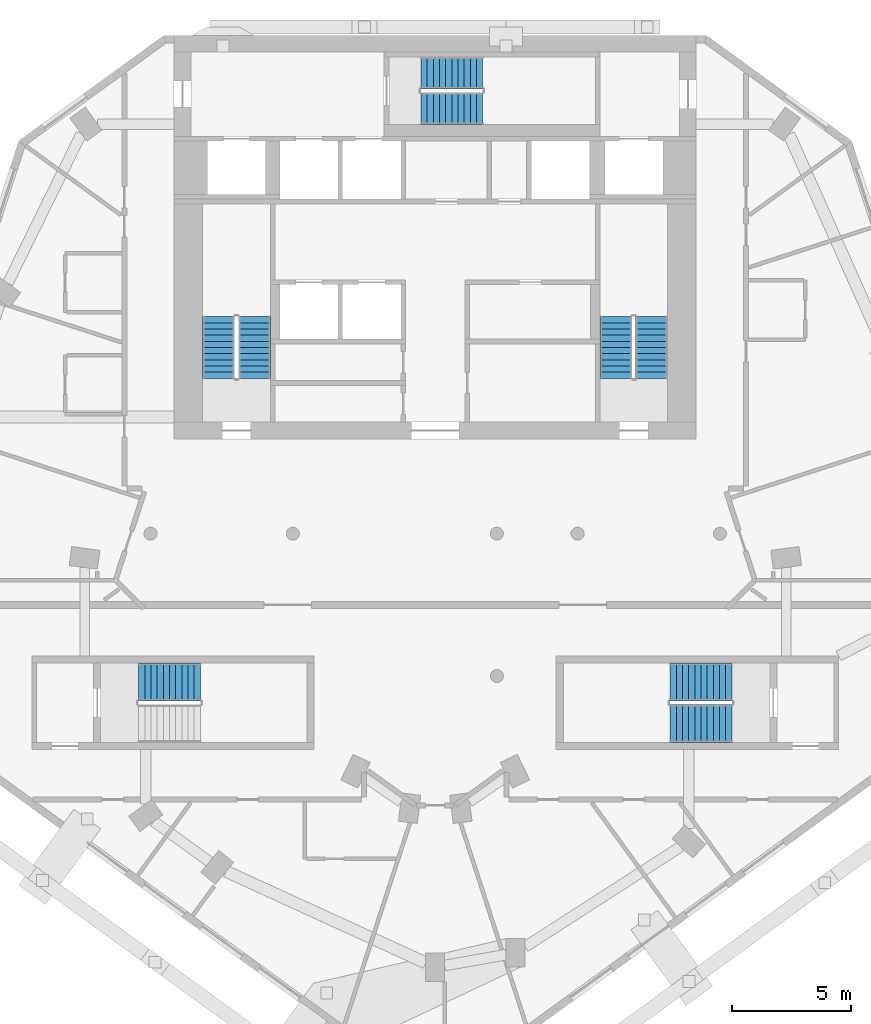
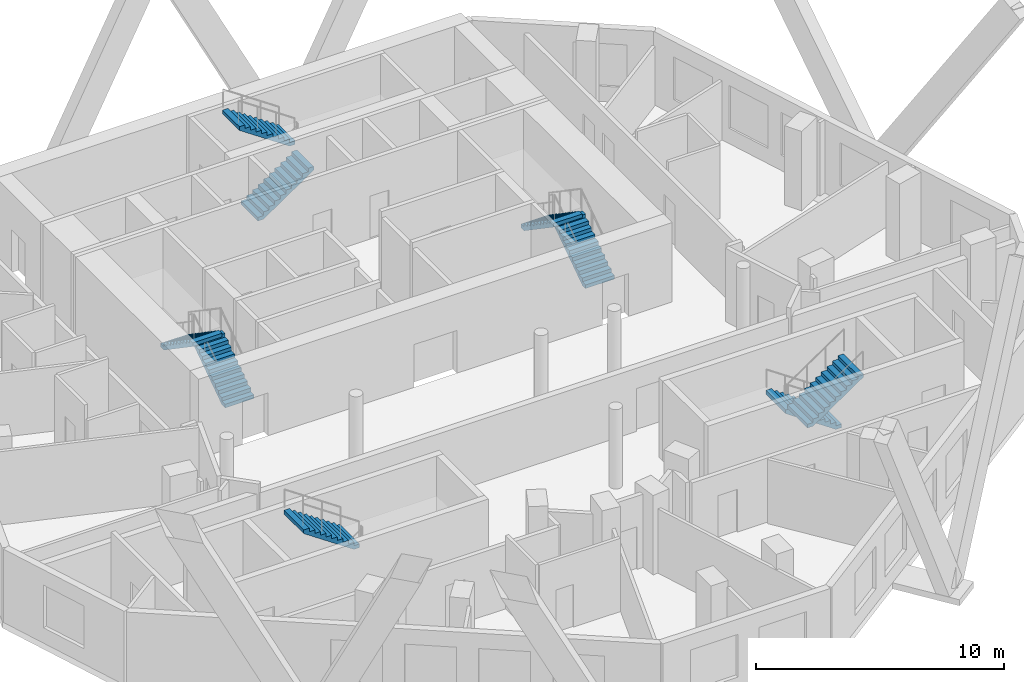
# One storey, part 7 of 9: 9 stair flights, 5 elements without a shape of their own.
"""IFC4 building model written with IfcOpenShell, lengths in metres."""

from ifc_helpers import new_model, si_unit, direction, frame, origin, place, context, subcontext, project, spatial, polyline, outline, extrude, material, layer, layer_set, type_object, element, aggregate, save


model = new_model("IFC4")

# Units and contexts
model_context = context("Model", 3, precision=1e-05, world=origin(), true_north=direction((0.0, 1.0)))
body_context = subcontext(model_context, "Body", "Model", "MODEL_VIEW")
ifc_project = project(units=[si_unit("LENGTHUNIT", "METRE"), si_unit("AREAUNIT", "SQUARE_METRE"), si_unit("VOLUMEUNIT", "CUBIC_METRE"), si_unit("PLANEANGLEUNIT", "RADIAN"), si_unit("MASSUNIT", "GRAM", prefix="KILO")], contexts=[model_context])

# Site, building, storey
site_placement = place(None, origin())
site = spatial("IfcSite", under=ifc_project, at=site_placement, CompositionType="ELEMENT")
building_placement = place(site_placement, origin())
building = spatial("IfcBuilding", under=site, at=building_placement, Name="White Candle Pilgrim Tower", CompositionType="ELEMENT")
storey_placement = place(building_placement, frame((0.0, 0.0, 260.0)))
storey = spatial("IfcBuildingStorey", under=building, at=storey_placement, Name="L61", CompositionType="ELEMENT", Elevation=260.0)

# Stair, stair flights
ifc_material = material(Name="Concrete C40/50", Category="concrete")
stair_type_1 = type_object("IfcStairType", Name="Exit stair 1 flight width 1350 mm", PredefinedType="HALF_TURN_STAIR", material=ifc_material)
stair_1_placement = place(storey_placement, origin())
stair_1 = element("IfcStair", 1, at=stair_1_placement, inside=storey, type_object=stair_type_1, Name="L61 stair 1", PredefinedType="NOTDEFINED")
ifc_layer = layer(ifc_material, 0.14990234375)
ifc_layer_set = layer_set([ifc_layer], Name="Stair flight Concrete C40/50")
stair_flight_type = type_object("IfcStairFlightType", Name="Stair flight Concrete C40/50", PredefinedType="STRAIGHT", material=ifc_layer_set)
stair_flight_1_placement = place(storey_placement, frame((62.375, 73.550048828125, 0.0), z_axis=(0.0, 0.0, 1.0), x_axis=(0.0, 1.0, 0.0)))
stair_flight_1 = element("IfcStairFlight", 2, at=stair_flight_1_placement, type_object=stair_flight_type, Name="ST1 flight 1", NumberOfRisers=11, NumberOfTreads=10, PredefinedType="NOTDEFINED", RiserHeight=0.177272727, TreadLength=0.26, context=body_context, shape_type="SweptSolid", body=[
    extrude(outline(polyline([(0.0, 0.0), (0.0, 0.17724609375), (0.260009765625, 0.17724609375), (0.260009765625, 0.3544921875), (0.52001953125, 0.3544921875), (0.52001953125, 0.53173828125), (0.780029296875, 0.53173828125), (0.780029296875, 0.708984375), (1.0400390625, 0.708984375), (1.0400390625, 0.886474609375), (1.300048828125, 0.886474609375), (1.300048828125, 1.063720703125), (1.56005859375, 1.063720703125), (1.56005859375, 1.240966796875), (1.820068359375, 1.240966796875), (1.820068359375, 1.418212890625), (2.080078125, 1.418212890625), (2.080078125, 1.595458984375), (2.340087890625, 1.595458984375), (2.340087890625, 1.772705078125), (2.60009765625, 1.772705078125), (2.60009765625, 1.949951171875), (2.60009765625, 1.59130859375), (0.26611328125, 0.0), (0.0, 0.0)])), frame((0.0, 0.675048828125, 0.0), z_axis=(0.0, -1.0, 0.0), x_axis=(1.0, 0.0, 0.0)), (0.0, 0.0, 1.0), 1.35009765625),
])
stair_flight_2_placement = place(storey_placement, frame((60.875, 76.14990234375, 1.949951171875), z_axis=(0.0, 0.0, 1.0), x_axis=(0.0, -1.0, 0.0)))
stair_flight_2 = element("IfcStairFlight", 3, at=stair_flight_2_placement, type_object=stair_flight_type, Name="ST1 flight 2", NumberOfRisers=11, NumberOfTreads=10, PredefinedType="NOTDEFINED", RiserHeight=0.177272727, TreadLength=0.26, context=body_context, shape_type="SweptSolid", body=[
    extrude(outline(polyline([(0.0, 0.0), (0.0, 0.17724609375), (0.260009765625, 0.17724609375), (0.260009765625, 0.3544921875), (0.52001953125, 0.3544921875), (0.52001953125, 0.53173828125), (0.780029296875, 0.53173828125), (0.780029296875, 0.708984375), (1.0400390625, 0.708984375), (1.0400390625, 0.886474609375), (1.300048828125, 0.886474609375), (1.300048828125, 1.063720703125), (1.56005859375, 1.063720703125), (1.56005859375, 1.240966796875), (1.820068359375, 1.240966796875), (1.820068359375, 1.418212890625), (2.080078125, 1.418212890625), (2.080078125, 1.595458984375), (2.340087890625, 1.595458984375), (2.340087890625, 1.772705078125), (2.60009765625, 1.772705078125), (2.60009765625, 1.949951171875), (2.60009765625, 1.59130859375), (0.26611328125, 0.0), (0.0, 0.0)])), frame((0.0, 0.675048828125, 0.0), z_axis=(0.0, -1.0, 0.0), x_axis=(1.0, 0.0, 0.0)), (0.0, 0.0, 1.0), 1.35009765625),
])
aggregate(stair_1, [stair_flight_1, stair_flight_2])

stair_type_2 = type_object("IfcStairType", Name="Exit stair 2 flight width 1350 mm", PredefinedType="HALF_TURN_STAIR", material=ifc_material)
stair_2_placement = place(storey_placement, origin())
stair_2 = element("IfcStair", 4, at=stair_2_placement, inside=storey, type_object=stair_type_2, Name="L61 stair 2", PredefinedType="NOTDEFINED")
stair_flight_3_placement = place(storey_placement, frame((79.125, 73.550048828125, 0.0), z_axis=(0.0, 0.0, 1.0), x_axis=(0.0, 1.0, 0.0)))
stair_flight_3 = element("IfcStairFlight", 5, at=stair_flight_3_placement, type_object=stair_flight_type, Name="ST2 flight 1", NumberOfRisers=11, NumberOfTreads=10, PredefinedType="NOTDEFINED", RiserHeight=0.177272727, TreadLength=0.26, context=body_context, shape_type="SweptSolid", body=[
    extrude(outline(polyline([(0.0, 0.0), (0.0, 0.17724609375), (0.260009765625, 0.17724609375), (0.260009765625, 0.3544921875), (0.52001953125, 0.3544921875), (0.52001953125, 0.53173828125), (0.780029296875, 0.53173828125), (0.780029296875, 0.708984375), (1.0400390625, 0.708984375), (1.0400390625, 0.886474609375), (1.300048828125, 0.886474609375), (1.300048828125, 1.063720703125), (1.56005859375, 1.063720703125), (1.56005859375, 1.240966796875), (1.820068359375, 1.240966796875), (1.820068359375, 1.418212890625), (2.080078125, 1.418212890625), (2.080078125, 1.595458984375), (2.340087890625, 1.595458984375), (2.340087890625, 1.772705078125), (2.60009765625, 1.772705078125), (2.60009765625, 1.949951171875), (2.60009765625, 1.59130859375), (0.26611328125, 0.0), (0.0, 0.0)])), frame((0.0, 0.675048828125, 0.0), z_axis=(0.0, -1.0, 0.0), x_axis=(1.0, 0.0, 0.0)), (0.0, 0.0, 1.0), 1.35009765625),
])
stair_flight_4_placement = place(storey_placement, frame((77.625, 76.14990234375, 1.949951171875), z_axis=(0.0, 0.0, 1.0), x_axis=(0.0, -1.0, 0.0)))
stair_flight_4 = element("IfcStairFlight", 6, at=stair_flight_4_placement, type_object=stair_flight_type, Name="ST2 flight 2", NumberOfRisers=11, NumberOfTreads=10, PredefinedType="NOTDEFINED", RiserHeight=0.177272727, TreadLength=0.26, context=body_context, shape_type="SweptSolid", body=[
    extrude(outline(polyline([(0.0, 0.0), (0.0, 0.17724609375), (0.260009765625, 0.17724609375), (0.260009765625, 0.3544921875), (0.52001953125, 0.3544921875), (0.52001953125, 0.53173828125), (0.780029296875, 0.53173828125), (0.780029296875, 0.708984375), (1.0400390625, 0.708984375), (1.0400390625, 0.886474609375), (1.300048828125, 0.886474609375), (1.300048828125, 1.063720703125), (1.56005859375, 1.063720703125), (1.56005859375, 1.240966796875), (1.820068359375, 1.240966796875), (1.820068359375, 1.418212890625), (2.080078125, 1.418212890625), (2.080078125, 1.595458984375), (2.340087890625, 1.595458984375), (2.340087890625, 1.772705078125), (2.60009765625, 1.772705078125), (2.60009765625, 1.949951171875), (2.60009765625, 1.59130859375), (0.26611328125, 0.0), (0.0, 0.0)])), frame((0.0, 0.675048828125, 0.0), z_axis=(0.0, -1.0, 0.0), x_axis=(1.0, 0.0, 0.0)), (0.0, 0.0, 1.0), 1.35009765625),
])
aggregate(stair_2, [stair_flight_3, stair_flight_4])

stair_type_3 = type_object("IfcStairType", Name="Exit stair 3 flight width 1350 mm", PredefinedType="HALF_TURN_STAIR", material=ifc_material)
stair_3_placement = place(storey_placement, origin())
stair_3 = element("IfcStair", 7, at=stair_3_placement, inside=storey, type_object=stair_type_3, Name="L61 stair 3", PredefinedType="NOTDEFINED")
stair_flight_5_placement = place(storey_placement, frame((69.39990234375, 84.925048828125, 0.0), z_axis=(0.0, 0.0, 1.0), x_axis=(1.0, 0.0, 0.0)))
stair_flight_5 = element("IfcStairFlight", 8, at=stair_flight_5_placement, type_object=stair_flight_type, Name="ST3 flight 1", NumberOfRisers=11, NumberOfTreads=10, PredefinedType="NOTDEFINED", RiserHeight=0.177272727, TreadLength=0.26, context=body_context, shape_type="SweptSolid", body=[
    extrude(outline(polyline([(0.0, 0.0), (0.0, 0.17724609375), (0.260009765625, 0.17724609375), (0.260009765625, 0.3544921875), (0.52001953125, 0.3544921875), (0.52001953125, 0.53173828125), (0.780029296875, 0.53173828125), (0.780029296875, 0.708984375), (1.0400390625, 0.708984375), (1.0400390625, 0.886474609375), (1.300048828125, 0.886474609375), (1.300048828125, 1.063720703125), (1.56005859375, 1.063720703125), (1.56005859375, 1.240966796875), (1.820068359375, 1.240966796875), (1.820068359375, 1.418212890625), (2.080078125, 1.418212890625), (2.080078125, 1.595458984375), (2.340087890625, 1.595458984375), (2.340087890625, 1.772705078125), (2.60009765625, 1.772705078125), (2.60009765625, 1.949951171875), (2.60009765625, 1.59130859375), (0.26611328125, 0.0), (0.0, 0.0)])), frame((0.0, 0.675048828125, 0.0), z_axis=(0.0, -1.0, 0.0), x_axis=(1.0, 0.0, 0.0)), (0.0, 0.0, 1.0), 1.35009765625),
])
stair_flight_6_placement = place(storey_placement, frame((72.0, 86.425048828125, 1.949951171875), z_axis=(0.0, 0.0, 1.0), x_axis=(-1.0, 0.0, 0.0)))
stair_flight_6 = element("IfcStairFlight", 9, at=stair_flight_6_placement, type_object=stair_flight_type, Name="ST3 flight 2", NumberOfRisers=11, NumberOfTreads=10, PredefinedType="NOTDEFINED", RiserHeight=0.177272727, TreadLength=0.26, context=body_context, shape_type="SweptSolid", body=[
    extrude(outline(polyline([(0.0, 0.0), (0.0, 0.17724609375), (0.260009765625, 0.17724609375), (0.260009765625, 0.3544921875), (0.52001953125, 0.3544921875), (0.52001953125, 0.53173828125), (0.780029296875, 0.53173828125), (0.780029296875, 0.708984375), (1.0400390625, 0.708984375), (1.0400390625, 0.886474609375), (1.300048828125, 0.886474609375), (1.300048828125, 1.063720703125), (1.56005859375, 1.063720703125), (1.56005859375, 1.240966796875), (1.820068359375, 1.240966796875), (1.820068359375, 1.418212890625), (2.080078125, 1.418212890625), (2.080078125, 1.595458984375), (2.340087890625, 1.595458984375), (2.340087890625, 1.772705078125), (2.60009765625, 1.772705078125), (2.60009765625, 1.949951171875), (2.60009765625, 1.59130859375), (0.26611328125, 0.0), (0.0, 0.0)])), frame((0.0, 0.675048828125, 0.0), z_axis=(0.0, -1.0, 0.0), x_axis=(1.0, 0.0, 0.0)), (0.0, 0.0, 1.0), 1.35009765625),
])
aggregate(stair_3, [stair_flight_5, stair_flight_6])

stair_type_4 = type_object("IfcStairType", Name="Exit stair 4 flight width 1600 mm", PredefinedType="HALF_TURN_STAIR", material=ifc_material)
stair_4_placement = place(storey_placement, origin())
stair_4 = element("IfcStair", 10, at=stair_4_placement, inside=storey, type_object=stair_type_4, Name="L61 stair 4", PredefinedType="NOTDEFINED")
stair_flight_7_placement = place(storey_placement, frame((82.5, 60.75, 0.0), z_axis=(0.0, 0.0, 1.0), x_axis=(-1.0, 0.0, 0.0)))
stair_flight_7 = element("IfcStairFlight", 11, at=stair_flight_7_placement, type_object=stair_flight_type, Name="ST4 flight 1", NumberOfRisers=11, NumberOfTreads=10, PredefinedType="NOTDEFINED", RiserHeight=0.177272727, TreadLength=0.26, context=body_context, shape_type="SweptSolid", body=[
    extrude(outline(polyline([(0.0, 0.0), (0.0, 0.17724609375), (0.260009765625, 0.17724609375), (0.260009765625, 0.3544921875), (0.52001953125, 0.3544921875), (0.52001953125, 0.53173828125), (0.780029296875, 0.53173828125), (0.780029296875, 0.708984375), (1.0400390625, 0.708984375), (1.0400390625, 0.886474609375), (1.300048828125, 0.886474609375), (1.300048828125, 1.063720703125), (1.56005859375, 1.063720703125), (1.56005859375, 1.240966796875), (1.820068359375, 1.240966796875), (1.820068359375, 1.418212890625), (2.080078125, 1.418212890625), (2.080078125, 1.595458984375), (2.340087890625, 1.595458984375), (2.340087890625, 1.772705078125), (2.60009765625, 1.772705078125), (2.60009765625, 1.949951171875), (2.60009765625, 1.59130859375), (0.26611328125, 0.0), (0.0, 0.0)])), frame((0.0, 0.800048828125, 0.0), z_axis=(0.0, -1.0, 0.0), x_axis=(1.0, 0.0, 0.0)), (0.0, 0.0, 1.0), 1.60009765625),
])
stair_flight_8_placement = place(storey_placement, frame((79.89990234375, 59.0, 1.949951171875), z_axis=(0.0, 0.0, 1.0), x_axis=(1.0, 0.0, 0.0)))
stair_flight_8 = element("IfcStairFlight", 12, at=stair_flight_8_placement, type_object=stair_flight_type, Name="ST4 flight 2", NumberOfRisers=11, NumberOfTreads=10, PredefinedType="NOTDEFINED", RiserHeight=0.177272727, TreadLength=0.26, context=body_context, shape_type="SweptSolid", body=[
    extrude(outline(polyline([(0.0, 0.0), (0.0, 0.17724609375), (0.260009765625, 0.17724609375), (0.260009765625, 0.3544921875), (0.52001953125, 0.3544921875), (0.52001953125, 0.53173828125), (0.780029296875, 0.53173828125), (0.780029296875, 0.708984375), (1.0400390625, 0.708984375), (1.0400390625, 0.886474609375), (1.300048828125, 0.886474609375), (1.300048828125, 1.063720703125), (1.56005859375, 1.063720703125), (1.56005859375, 1.240966796875), (1.820068359375, 1.240966796875), (1.820068359375, 1.418212890625), (2.080078125, 1.418212890625), (2.080078125, 1.595458984375), (2.340087890625, 1.595458984375), (2.340087890625, 1.772705078125), (2.60009765625, 1.772705078125), (2.60009765625, 1.949951171875), (2.60009765625, 1.59130859375), (0.26611328125, 0.0), (0.0, 0.0)])), frame((0.0, 0.800048828125, 0.0), z_axis=(0.0, -1.0, 0.0), x_axis=(1.0, 0.0, 0.0)), (0.0, 0.0, 1.0), 1.60009765625),
])
aggregate(stair_4, [stair_flight_7, stair_flight_8])

# Stair, stair flight
stair_type_5 = type_object("IfcStairType", Name="Exit stair 5 flight width 1600 mm", PredefinedType="HALF_TURN_STAIR", material=ifc_material)
stair_5_placement = place(storey_placement, origin())
stair_5 = element("IfcStair", 13, at=stair_5_placement, inside=storey, type_object=stair_type_5, Name="L61 stair 5", PredefinedType="NOTDEFINED")
stair_flight_9_placement = place(storey_placement, frame((60.10009765625, 60.75, 1.949951171875), z_axis=(0.0, 0.0, 1.0), x_axis=(-1.0, 0.0, 0.0)))
stair_flight_9 = element("IfcStairFlight", 14, at=stair_flight_9_placement, type_object=stair_flight_type, Name="ST5 flight 2", NumberOfRisers=11, NumberOfTreads=10, PredefinedType="NOTDEFINED", RiserHeight=0.177272727, TreadLength=0.26, context=body_context, shape_type="SweptSolid", body=[
    extrude(outline(polyline([(0.0, 0.0), (0.0, 0.17724609375), (0.260009765625, 0.17724609375), (0.260009765625, 0.3544921875), (0.52001953125, 0.3544921875), (0.52001953125, 0.53173828125), (0.780029296875, 0.53173828125), (0.780029296875, 0.708984375), (1.0400390625, 0.708984375), (1.0400390625, 0.886474609375), (1.300048828125, 0.886474609375), (1.300048828125, 1.063720703125), (1.56005859375, 1.063720703125), (1.56005859375, 1.240966796875), (1.820068359375, 1.240966796875), (1.820068359375, 1.418212890625), (2.080078125, 1.418212890625), (2.080078125, 1.595458984375), (2.340087890625, 1.595458984375), (2.340087890625, 1.772705078125), (2.60009765625, 1.772705078125), (2.60009765625, 1.949951171875), (2.60009765625, 1.59130859375), (0.26611328125, 0.0), (0.0, 0.0)])), frame((0.0, 0.800048828125, 0.0), z_axis=(0.0, -1.0, 0.0), x_axis=(1.0, 0.0, 0.0)), (0.0, 0.0, 1.0), 1.60009765625),
])
aggregate(stair_5, [stair_flight_9])

save(model, "model.ifc")
